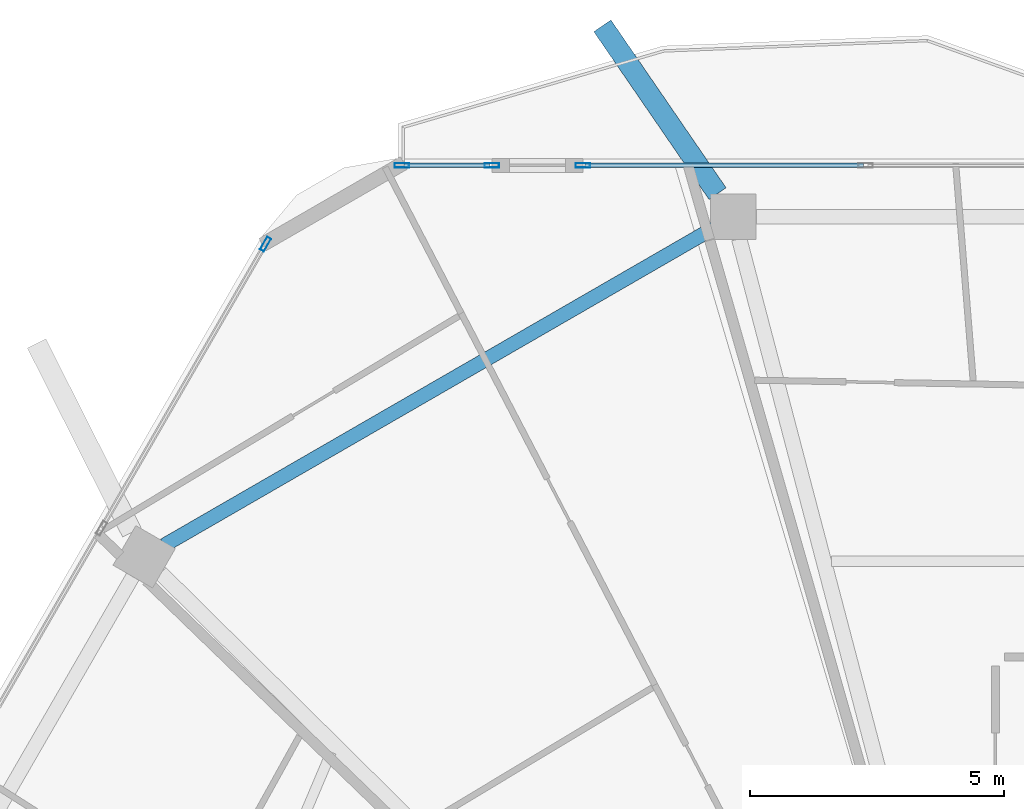
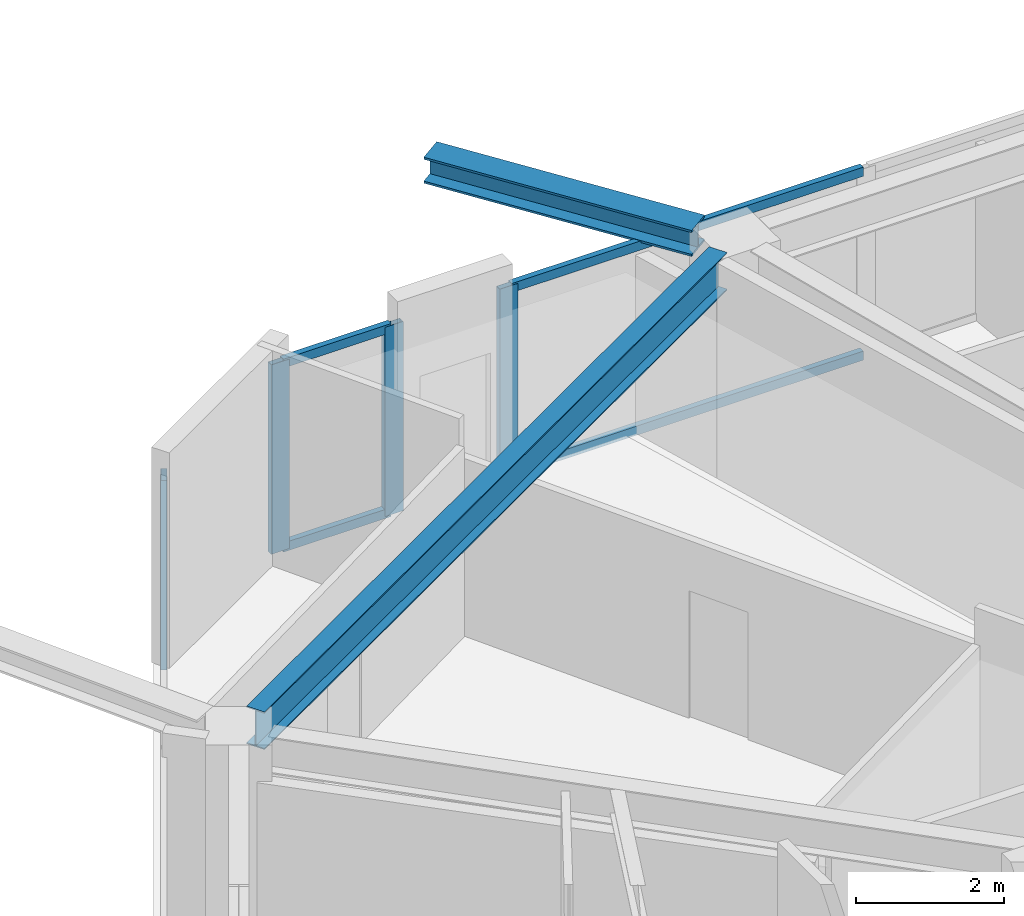
# One storey, part 13 of 26: 8 members, 2 beams, 3 elements without a shape of their own.
"""IFC4 building model written with IfcOpenShell, lengths in metres."""

from ifc_helpers import new_model, si_unit, direction, frame, origin, origin_2d, place, context, subcontext, project, spatial, hollow_rectangle, i_section, extrude, material, material_profile, profile_set, type_object, element, aggregate, save


model = new_model("IFC4")

# Units and contexts
model_context = context("Model", 3, precision=1e-05, world=origin(), true_north=direction((0.0, 1.0)))
body_context = subcontext(model_context, "Body", "Model", "MODEL_VIEW")
ifc_project = project(units=[si_unit("LENGTHUNIT", "METRE"), si_unit("AREAUNIT", "SQUARE_METRE"), si_unit("VOLUMEUNIT", "CUBIC_METRE"), si_unit("PLANEANGLEUNIT", "RADIAN"), si_unit("MASSUNIT", "GRAM", prefix="KILO")], contexts=[model_context])

# Site, building, storey
site_placement = place(None, origin())
site = spatial("IfcSite", under=ifc_project, at=site_placement, CompositionType="ELEMENT")
building_placement = place(site_placement, origin())
building = spatial("IfcBuilding", under=site, at=building_placement, Name="Zuhravey Tower", CompositionType="ELEMENT")
storey_placement = place(building_placement, frame((0.0, 0.0, 242.60009765625)))
storey = spatial("IfcBuildingStorey", under=building, at=storey_placement, Name="L61", CompositionType="ELEMENT", Elevation=242.60009765625)

# Curtain wall, member
ifc_material_1 = material(Name="Thermally broken anodised aluminium", Category="aluminium")
curtain_wall_type = type_object("IfcCurtainWallType", Name="Zone 3-4 High-Rise Curtain Wall CW4", PredefinedType="NOTDEFINED", material=ifc_material_1)
curtain_wall_1_placement = place(storey_placement, origin())
curtain_wall_1 = element("IfcCurtainWall", 1, at=curtain_wall_1_placement, inside=storey, type_object=curtain_wall_type, Name="L61 CW4 CW-L61-F3-1", PredefinedType="NOTDEFINED")
ifc_material_2 = material(Name="Anodised aluminium", Category="aluminium")
ifc_material_profile_1 = material_profile(ifc_material_2, hollow_rectangle(XDim=0.090087890625, YDim=0.284912109375, WallThickness=0.0048828125, at=origin_2d()), Name="ALU-RHS-90x285x5")
ifc_profile_set_1 = profile_set([ifc_material_profile_1], Name="Anodised aluminium")
member_type_1 = type_object("IfcMemberType", Name="Curtain-Wall Mullion 90x180", PredefinedType="MULLION", material=ifc_profile_set_1)
member_1_placement = place(storey_placement, frame((20.34521484375, 56.01220703125, 0.0), z_axis=(0.0, 0.0, 1.0), x_axis=(-0.866024851021, 0.500000957414, 0.0)))
member_1 = element("IfcMember", 2, at=member_1_placement, type_object=member_type_1, Name="CW4 mullion 5", PredefinedType="MULLION", context=body_context, shape_type="SweptSolid", body=[
    extrude(hollow_rectangle(XDim=0.090087890625, YDim=0.284912109375, WallThickness=0.0048828125, at=origin_2d()), origin(), (0.0, 0.0, 1.0), 3.121826171875),
])
aggregate(curtain_wall_1, [member_1])

# Curtain wall, members
curtain_wall_2_placement = place(storey_placement, origin())
curtain_wall_2 = element("IfcCurtainWall", 3, at=curtain_wall_2_placement, inside=storey, type_object=curtain_wall_type, Name="L61 CW4 CW-L61-F2-1", PredefinedType="NOTDEFINED")
member_2_placement = place(storey_placement, frame((23.0322265625, 57.563720703125, 0.0), z_axis=(0.0, 0.0, 1.0), x_axis=(0.0, 1.0, 0.0)))
member_2 = element("IfcMember", 4, at=member_2_placement, type_object=member_type_1, Name="CW4 mullion 1", PredefinedType="MULLION", context=body_context, shape_type="SweptSolid", body=[
    extrude(hollow_rectangle(XDim=0.090087890625, YDim=0.284912109375, WallThickness=0.0048828125, at=origin_2d()), origin(), (0.0, 0.0, 1.0), 3.121826171875),
])
member_3_placement = place(storey_placement, frame((24.80419921875, 57.563720703125, 0.0), z_axis=(0.0, 0.0, 1.0), x_axis=(0.0, 1.0, 0.0)))
member_3 = element("IfcMember", 5, at=member_3_placement, type_object=member_type_1, Name="CW4 mullion 2", PredefinedType="MULLION", context=body_context, shape_type="SweptSolid", body=[
    extrude(hollow_rectangle(XDim=0.090087890625, YDim=0.284912109375, WallThickness=0.0048828125, at=origin_2d()), origin(), (0.0, 0.0, 1.0), 3.121826171875),
])

# Curtain wall, member
curtain_wall_3_placement = place(storey_placement, origin())
curtain_wall_3 = element("IfcCurtainWall", 6, at=curtain_wall_3_placement, inside=storey, type_object=curtain_wall_type, Name="L61 CW4 CW-L61-F2-2", PredefinedType="NOTDEFINED")
member_4_placement = place(storey_placement, frame((26.593994140625, 57.563720703125, 0.0), z_axis=(0.0, 0.0, 1.0), x_axis=(0.0, 1.0, 0.0)))
member_4 = element("IfcMember", 7, at=member_4_placement, type_object=member_type_1, Name="CW4 mullion 1", PredefinedType="MULLION", context=body_context, shape_type="SweptSolid", body=[
    extrude(hollow_rectangle(XDim=0.090087890625, YDim=0.284912109375, WallThickness=0.0048828125, at=origin_2d()), origin(), (0.0, 0.0, 1.0), 3.121826171875),
])

# Member
ifc_material_profile_2 = material_profile(ifc_material_2, hollow_rectangle(XDim=0.090087890625, YDim=0.14990234375, WallThickness=0.0048828125, at=origin_2d()), Name="ALU-RHS-90x150x5")
ifc_profile_set_2 = profile_set([ifc_material_profile_2], Name="Anodised aluminium")
member_type_2 = type_object("IfcMemberType", Name="Curtain-Wall Transom 90x150", PredefinedType="USERDEFINED", material=ifc_profile_set_2)
member_5_placement = place(storey_placement, frame((23.077392578125, 57.563720703125, 0.044921875), z_axis=(1.0, 0.0, 0.0), x_axis=(0.0, 1.0, 0.0)))
member_5 = element("IfcMember", 8, at=member_5_placement, type_object=member_type_2, Name="CW4 transom 1.1", ObjectType="TRANSOM", PredefinedType="USERDEFINED", context=body_context, shape_type="SweptSolid", body=[
    extrude(hollow_rectangle(XDim=0.090087890625, YDim=0.14990234375, WallThickness=0.0048828125, at=origin_2d()), origin(), (0.0, 0.0, 1.0), 1.681640625),
])

member_6_placement = place(storey_placement, frame((23.077392578125, 57.563720703125, 3.076904296875), z_axis=(1.0, 0.0, 0.0), x_axis=(0.0, 1.0, 0.0)))
member_6 = element("IfcMember", 9, at=member_6_placement, type_object=member_type_2, Name="CW4 transom 1.2", ObjectType="TRANSOM", PredefinedType="USERDEFINED", context=body_context, shape_type="SweptSolid", body=[
    extrude(hollow_rectangle(XDim=0.090087890625, YDim=0.14990234375, WallThickness=0.0048828125, at=origin_2d()), origin(), (0.0, 0.0, 1.0), 1.681640625),
])

aggregate(curtain_wall_2, [member_2, member_3, member_5, member_6])

member_7_placement = place(storey_placement, frame((26.63916015625, 57.563720703125, 0.044921875), z_axis=(1.0, 0.0, 0.0), x_axis=(0.0, 1.0, 0.0)))
member_7 = element("IfcMember", 10, at=member_7_placement, type_object=member_type_2, Name="CW4 transom 1.1", ObjectType="TRANSOM", PredefinedType="USERDEFINED", context=body_context, shape_type="SweptSolid", body=[
    extrude(hollow_rectangle(XDim=0.090087890625, YDim=0.14990234375, WallThickness=0.0048828125, at=origin_2d()), origin(), (0.0, 0.0, 1.0), 5.48095703125),
])

member_8_placement = place(storey_placement, frame((26.63916015625, 57.563720703125, 3.076904296875), z_axis=(1.0, 0.0, 0.0), x_axis=(0.0, 1.0, 0.0)))
member_8 = element("IfcMember", 11, at=member_8_placement, type_object=member_type_2, Name="CW4 transom 1.2", ObjectType="TRANSOM", PredefinedType="USERDEFINED", context=body_context, shape_type="SweptSolid", body=[
    extrude(hollow_rectangle(XDim=0.090087890625, YDim=0.14990234375, WallThickness=0.0048828125, at=origin_2d()), origin(), (0.0, 0.0, 1.0), 5.48095703125),
])

aggregate(curtain_wall_3, [member_4, member_7, member_8])

# Beams
ifc_material_3 = material(Name="Steel SM460", Category="steel")
ifc_material_profile_3 = material_profile(ifc_material_3, i_section(OverallWidth=0.406982421875, OverallDepth=0.427978515625, WebThickness=0.02001953125, FlangeThickness=0.034912109375, at=origin_2d()), Name="H-428x407x20x35")
ifc_profile_set_3 = profile_set([ifc_material_profile_3], Name="Steel SM460")
beam_type_1 = type_object("IfcBeamType", Name="Exoskeleton Node Tie Beam H428x407", PredefinedType="BEAM", material=ifc_profile_set_3)
beam_1_placement = place(storey_placement, frame((29.247802734375, 57.0068359375, 3.3359375), z_axis=(-0.565936679704, 0.824448709481, 0.0), x_axis=(-0.824448709481, -0.565936679704, 0.0)))
element("IfcBeam", 12, at=beam_1_placement, inside=storey, type_object=beam_type_1, Name="L61 Exoskeleton Node Tie NT1-04", PredefinedType="BEAM", context=body_context, shape_type="SweptSolid", body=[
    extrude(i_section(OverallWidth=0.406982421875, OverallDepth=0.427978515625, WebThickness=0.02001953125, FlangeThickness=0.034912109375, at=origin_2d()), origin(), (0.0, 0.0, 1.0), 4.008056640625),
])
ifc_material_4 = material(Name="Steel SM355", Category="steel")
ifc_material_profile_4 = material_profile(ifc_material_4, i_section(OverallWidth=0.280029296875, OverallDepth=0.6201171875, WebThickness=0.011962890625, FlangeThickness=0.02001953125, at=origin_2d()), Name="H-620x280x12x20")
ifc_profile_set_4 = profile_set([ifc_material_profile_4], Name="Steel SM355")
beam_type_2 = type_object("IfcBeamType", Name="Perimeter Ring Beam H620x280", PredefinedType="BEAM", material=ifc_profile_set_4)
beam_2_placement = place(storey_placement, frame((29.166748046875, 56.3271484375, 3.239990234375), z_axis=(-0.866025131093, -0.500000472315, 0.0), x_axis=(0.500000472315, -0.866025131093, 0.0)))
element("IfcBeam", 13, at=beam_2_placement, inside=storey, type_object=beam_type_2, Name="L61 PB3 BM-L61-PB-04", PredefinedType="BEAM", context=body_context, shape_type="SweptSolid", body=[
    extrude(i_section(OverallWidth=0.280029296875, OverallDepth=0.6201171875, WebThickness=0.011962890625, FlangeThickness=0.02001953125, at=origin_2d()), origin(), (0.0, 0.0, 1.0), 12.49169921875),
])

save(model, "model.ifc")
